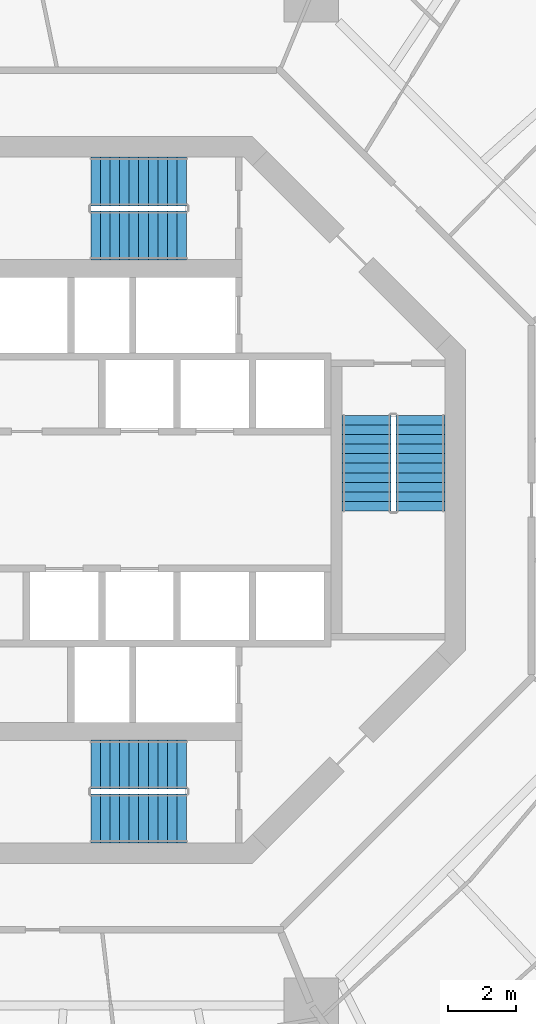
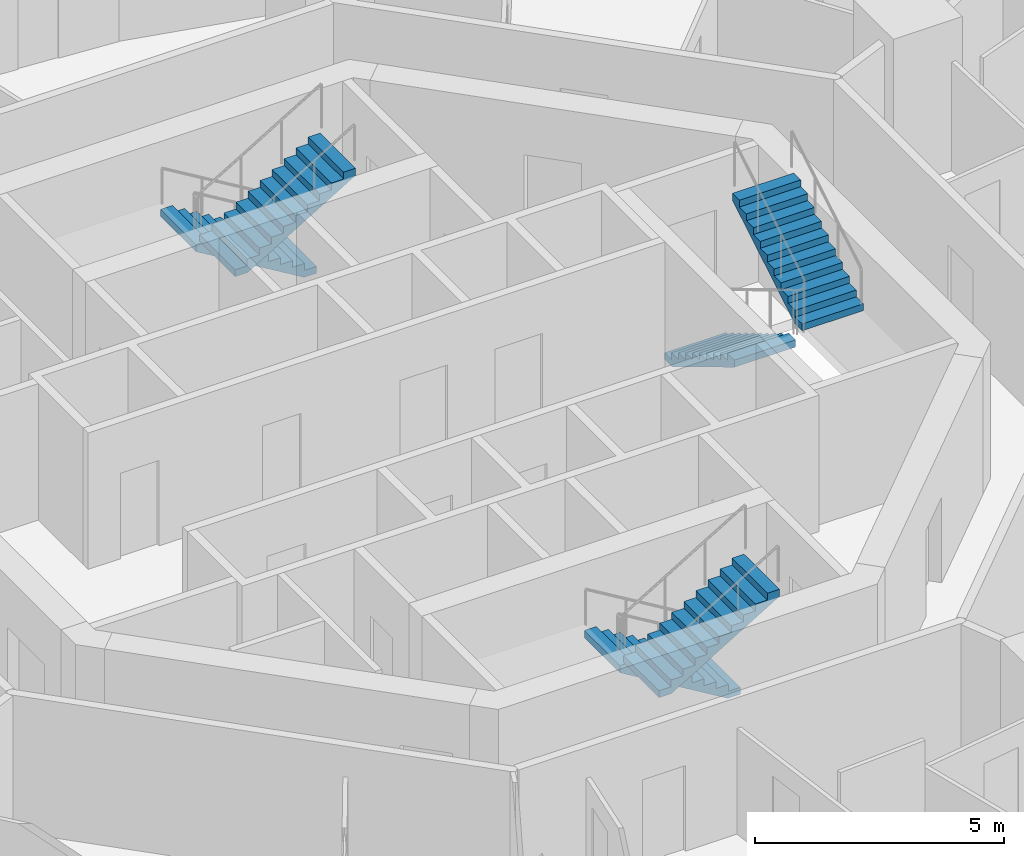
# One storey, part 15 of 18: 6 stair flights, 3 elements without a shape of their own.
"""IFC4 building model written with IfcOpenShell, lengths in metres."""

from ifc_helpers import new_model, si_unit, direction, frame, origin, place, context, subcontext, project, spatial, polyline, outline, extrude, material, type_object, element, aggregate, save


model = new_model("IFC4")

# Units and contexts
model_context = context("Model", 3, precision=1e-05, world=origin(), true_north=direction((0.0, 1.0)))
body_context = subcontext(model_context, "Body", "Model", "MODEL_VIEW")
ifc_project = project(units=[si_unit("LENGTHUNIT", "METRE"), si_unit("AREAUNIT", "SQUARE_METRE"), si_unit("VOLUMEUNIT", "CUBIC_METRE"), si_unit("PLANEANGLEUNIT", "RADIAN"), si_unit("MASSUNIT", "GRAM", prefix="KILO")], contexts=[model_context])

# Site, building, storey
site_placement = place(None, origin())
site = spatial("IfcSite", under=ifc_project, at=site_placement, CompositionType="ELEMENT")
building_placement = place(site_placement, origin())
building = spatial("IfcBuilding", under=site, at=building_placement, Name="Nagisa Residences", CompositionType="ELEMENT")
storey_placement = place(building_placement, frame((0.0, 0.0, 249.199951171875)))
storey = spatial("IfcBuildingStorey", under=building, at=storey_placement, Name="L63", CompositionType="ELEMENT", Elevation=249.199951171875)

# Stair, stair flights
ifc_material_1 = material(Name="Concrete C60", Category="concrete")
stair_type = type_object("IfcStairType", Name="Exit stair", PredefinedType="HALF_TURN_STAIR", material=ifc_material_1)
stair_1_placement = place(storey_placement, origin())
stair_1 = element("IfcStair", 1, at=stair_1_placement, inside=storey, type_object=stair_type, Name="L63 Exit stair E", PredefinedType="HALF_TURN_STAIR")
ifc_material_2 = material(Name="Concrete C60", Category="concrete")
stair_flight_type = type_object("IfcStairFlightType", Name="Exit stair flight", PredefinedType="STRAIGHT", material=ifc_material_2)
stair_flight_1_placement = place(storey_placement, frame((7.737060546875, 2.47509765625, 0.0), z_axis=(0.0, 0.0, 1.0), x_axis=(0.0, -1.0, 0.0)))
stair_flight_1 = element("IfcStairFlight", 2, at=stair_flight_1_placement, type_object=stair_flight_type, Name="ST-E flight 1", NumberOfRisers=11, NumberOfTreads=10, PredefinedType="STRAIGHT", RiserHeight=0.168181818, TreadLength=0.28, context=body_context, shape_type="SweptSolid", body=[
    extrude(outline(polyline([(0.0, 0.0), (0.0, 0.168212890625), (0.280029296875, 0.168212890625), (0.280029296875, 0.33642578125), (0.56005859375, 0.33642578125), (0.56005859375, 0.504638671875), (0.840087890625, 0.504638671875), (0.840087890625, 0.672607421875), (1.1201171875, 0.672607421875), (1.1201171875, 0.8408203125), (1.39990234375, 0.8408203125), (1.39990234375, 1.009033203125), (1.679931640625, 1.009033203125), (1.679931640625, 1.17724609375), (1.9599609375, 1.17724609375), (1.9599609375, 1.345458984375), (2.239990234375, 1.345458984375), (2.239990234375, 1.513671875), (2.52001953125, 1.513671875), (2.52001953125, 1.681884765625), (2.800048828125, 1.681884765625), (2.800048828125, 1.85009765625), (2.800048828125, 1.5068359375), (0.291015625, 0.0), (0.0, 0.0)])), frame((0.0, 0.71240234375, 0.0), z_axis=(0.0, -1.0, 0.0), x_axis=(1.0, 0.0, 0.0)), (0.0, 0.0, 1.0), 1.425048828125),
])
stair_flight_2_placement = place(storey_placement, frame((9.31201171875, -0.324951171875, 1.85009765625), z_axis=(0.0, 0.0, 1.0), x_axis=(0.0, 1.0, 0.0)))
stair_flight_2 = element("IfcStairFlight", 3, at=stair_flight_2_placement, type_object=stair_flight_type, Name="ST-E flight 2", NumberOfRisers=11, NumberOfTreads=10, PredefinedType="STRAIGHT", RiserHeight=0.168181818, TreadLength=0.28, context=body_context, shape_type="SweptSolid", body=[
    extrude(outline(polyline([(0.0, 0.0), (0.0, 0.168212890625), (0.280029296875, 0.168212890625), (0.280029296875, 0.33642578125), (0.56005859375, 0.33642578125), (0.56005859375, 0.504638671875), (0.840087890625, 0.504638671875), (0.840087890625, 0.672607421875), (1.1201171875, 0.672607421875), (1.1201171875, 0.8408203125), (1.39990234375, 0.8408203125), (1.39990234375, 1.009033203125), (1.679931640625, 1.009033203125), (1.679931640625, 1.17724609375), (1.9599609375, 1.17724609375), (1.9599609375, 1.345458984375), (2.239990234375, 1.345458984375), (2.239990234375, 1.513671875), (2.52001953125, 1.513671875), (2.52001953125, 1.681884765625), (2.800048828125, 1.681884765625), (2.800048828125, 1.85009765625), (2.800048828125, 1.5068359375), (0.291015625, 0.0), (0.0, 0.0)])), frame((0.0, 0.71240234375, 0.0), z_axis=(0.0, -1.0, 0.0), x_axis=(1.0, 0.0, 0.0)), (0.0, 0.0, 1.0), 1.425048828125),
])
aggregate(stair_1, [stair_flight_1, stair_flight_2])

stair_2_placement = place(storey_placement, origin())
stair_2 = element("IfcStair", 4, at=stair_2_placement, inside=storey, type_object=stair_type, Name="L63 Exit stair N", PredefinedType="HALF_TURN_STAIR")
stair_flight_3_placement = place(storey_placement, frame((2.47509765625, 9.31201171875, 0.0), z_axis=(0.0, 0.0, 1.0), x_axis=(-1.0, 0.0, 0.0)))
stair_flight_3 = element("IfcStairFlight", 5, at=stair_flight_3_placement, type_object=stair_flight_type, Name="ST-N flight 1", NumberOfRisers=11, NumberOfTreads=10, PredefinedType="STRAIGHT", RiserHeight=0.168181818, TreadLength=0.28, context=body_context, shape_type="SweptSolid", body=[
    extrude(outline(polyline([(0.0, 0.0), (0.0, 0.168212890625), (0.280029296875, 0.168212890625), (0.280029296875, 0.33642578125), (0.56005859375, 0.33642578125), (0.56005859375, 0.504638671875), (0.840087890625, 0.504638671875), (0.840087890625, 0.672607421875), (1.1201171875, 0.672607421875), (1.1201171875, 0.8408203125), (1.39990234375, 0.8408203125), (1.39990234375, 1.009033203125), (1.679931640625, 1.009033203125), (1.679931640625, 1.17724609375), (1.9599609375, 1.17724609375), (1.9599609375, 1.345458984375), (2.239990234375, 1.345458984375), (2.239990234375, 1.513671875), (2.52001953125, 1.513671875), (2.52001953125, 1.681884765625), (2.800048828125, 1.681884765625), (2.800048828125, 1.85009765625), (2.800048828125, 1.5068359375), (0.291015625, 0.0), (0.0, 0.0)])), frame((0.0, 0.71240234375, 0.0), z_axis=(0.0, -1.0, 0.0), x_axis=(1.0, 0.0, 0.0)), (0.0, 0.0, 1.0), 1.425048828125),
])
stair_flight_4_placement = place(storey_placement, frame((-0.324951171875, 7.737060546875, 1.85009765625), z_axis=(0.0, 0.0, 1.0), x_axis=(1.0, 0.0, 0.0)))
stair_flight_4 = element("IfcStairFlight", 6, at=stair_flight_4_placement, type_object=stair_flight_type, Name="ST-N flight 2", NumberOfRisers=11, NumberOfTreads=10, PredefinedType="STRAIGHT", RiserHeight=0.168181818, TreadLength=0.28, context=body_context, shape_type="SweptSolid", body=[
    extrude(outline(polyline([(0.0, 0.0), (0.0, 0.168212890625), (0.280029296875, 0.168212890625), (0.280029296875, 0.33642578125), (0.56005859375, 0.33642578125), (0.56005859375, 0.504638671875), (0.840087890625, 0.504638671875), (0.840087890625, 0.672607421875), (1.1201171875, 0.672607421875), (1.1201171875, 0.8408203125), (1.39990234375, 0.8408203125), (1.39990234375, 1.009033203125), (1.679931640625, 1.009033203125), (1.679931640625, 1.17724609375), (1.9599609375, 1.17724609375), (1.9599609375, 1.345458984375), (2.239990234375, 1.345458984375), (2.239990234375, 1.513671875), (2.52001953125, 1.513671875), (2.52001953125, 1.681884765625), (2.800048828125, 1.681884765625), (2.800048828125, 1.85009765625), (2.800048828125, 1.5068359375), (0.291015625, 0.0), (0.0, 0.0)])), frame((0.0, 0.71240234375, 0.0), z_axis=(0.0, -1.0, 0.0), x_axis=(1.0, 0.0, 0.0)), (0.0, 0.0, 1.0), 1.425048828125),
])
aggregate(stair_2, [stair_flight_3, stair_flight_4])

stair_3_placement = place(storey_placement, origin())
stair_3 = element("IfcStair", 7, at=stair_3_placement, inside=storey, type_object=stair_type, Name="L63 Exit stair S", PredefinedType="HALF_TURN_STAIR")
stair_flight_5_placement = place(storey_placement, frame((2.47509765625, -7.737060546875, 0.0), z_axis=(0.0, 0.0, 1.0), x_axis=(-1.0, 0.0, 0.0)))
stair_flight_5 = element("IfcStairFlight", 8, at=stair_flight_5_placement, type_object=stair_flight_type, Name="ST-S flight 1", NumberOfRisers=11, NumberOfTreads=10, PredefinedType="STRAIGHT", RiserHeight=0.168181818, TreadLength=0.28, context=body_context, shape_type="SweptSolid", body=[
    extrude(outline(polyline([(0.0, 0.0), (0.0, 0.168212890625), (0.280029296875, 0.168212890625), (0.280029296875, 0.33642578125), (0.56005859375, 0.33642578125), (0.56005859375, 0.504638671875), (0.840087890625, 0.504638671875), (0.840087890625, 0.672607421875), (1.1201171875, 0.672607421875), (1.1201171875, 0.8408203125), (1.39990234375, 0.8408203125), (1.39990234375, 1.009033203125), (1.679931640625, 1.009033203125), (1.679931640625, 1.17724609375), (1.9599609375, 1.17724609375), (1.9599609375, 1.345458984375), (2.239990234375, 1.345458984375), (2.239990234375, 1.513671875), (2.52001953125, 1.513671875), (2.52001953125, 1.681884765625), (2.800048828125, 1.681884765625), (2.800048828125, 1.85009765625), (2.800048828125, 1.5068359375), (0.291015625, 0.0), (0.0, 0.0)])), frame((0.0, 0.71240234375, 0.0), z_axis=(0.0, -1.0, 0.0), x_axis=(1.0, 0.0, 0.0)), (0.0, 0.0, 1.0), 1.425048828125),
])
stair_flight_6_placement = place(storey_placement, frame((-0.324951171875, -9.31201171875, 1.85009765625), z_axis=(0.0, 0.0, 1.0), x_axis=(1.0, 0.0, 0.0)))
stair_flight_6 = element("IfcStairFlight", 9, at=stair_flight_6_placement, type_object=stair_flight_type, Name="ST-S flight 2", NumberOfRisers=11, NumberOfTreads=10, PredefinedType="STRAIGHT", RiserHeight=0.168181818, TreadLength=0.28, context=body_context, shape_type="SweptSolid", body=[
    extrude(outline(polyline([(0.0, 0.0), (0.0, 0.168212890625), (0.280029296875, 0.168212890625), (0.280029296875, 0.33642578125), (0.56005859375, 0.33642578125), (0.56005859375, 0.504638671875), (0.840087890625, 0.504638671875), (0.840087890625, 0.672607421875), (1.1201171875, 0.672607421875), (1.1201171875, 0.8408203125), (1.39990234375, 0.8408203125), (1.39990234375, 1.009033203125), (1.679931640625, 1.009033203125), (1.679931640625, 1.17724609375), (1.9599609375, 1.17724609375), (1.9599609375, 1.345458984375), (2.239990234375, 1.345458984375), (2.239990234375, 1.513671875), (2.52001953125, 1.513671875), (2.52001953125, 1.681884765625), (2.800048828125, 1.681884765625), (2.800048828125, 1.85009765625), (2.800048828125, 1.5068359375), (0.291015625, 0.0), (0.0, 0.0)])), frame((0.0, 0.71240234375, 0.0), z_axis=(0.0, -1.0, 0.0), x_axis=(1.0, 0.0, 0.0)), (0.0, 0.0, 1.0), 1.425048828125),
])
aggregate(stair_3, [stair_flight_5, stair_flight_6])

save(model, "model.ifc")
